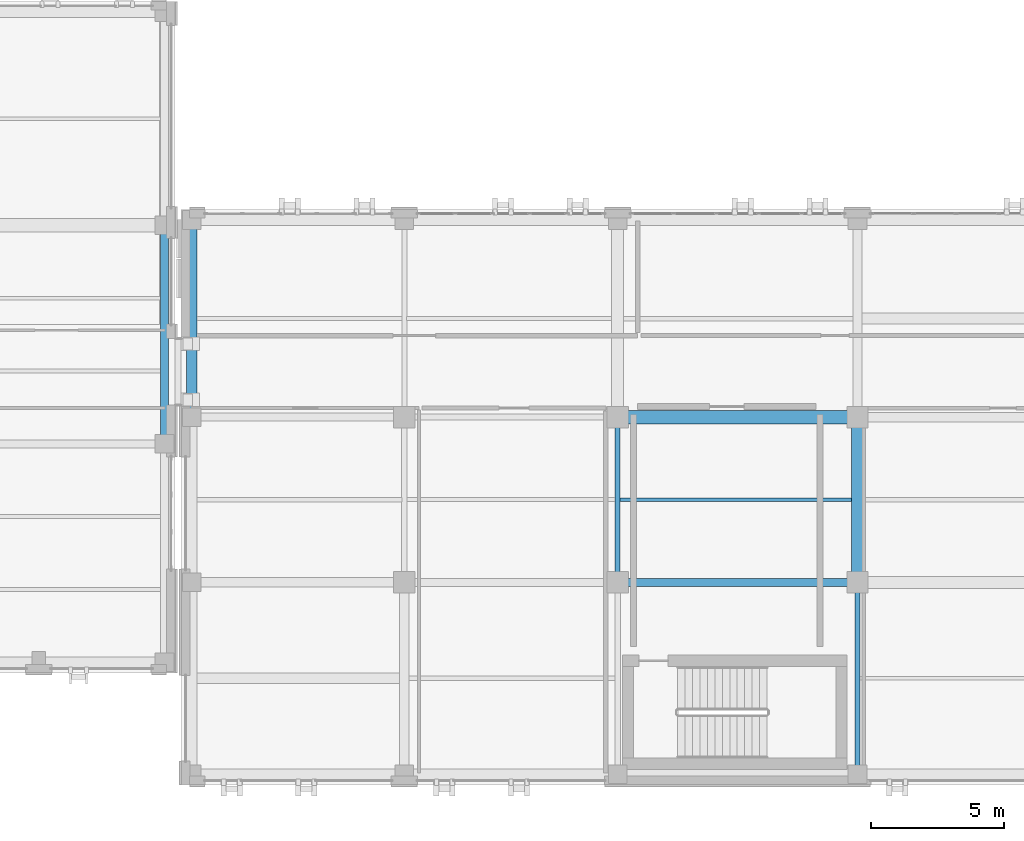
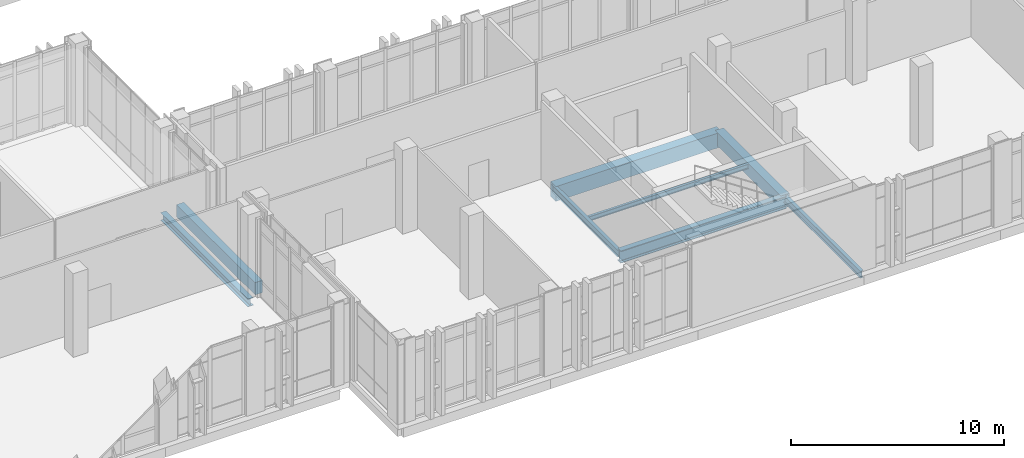
# One storey, part 49 of 189: 8 beams.
"""IFC4 building model written with IfcOpenShell, lengths in metres."""

from ifc_helpers import new_model, si_unit, direction, frame, origin, origin_2d, place, context, subcontext, project, spatial, rectangle, i_section, extrude, material, material_profile, profile_set, type_object, element, save


model = new_model("IFC4")

# Units and contexts
model_context = context("Model", 3, precision=1e-05, world=origin(), true_north=direction((0.0, 1.0)))
body_context = subcontext(model_context, "Body", "Model", "MODEL_VIEW")
ifc_project = project(units=[si_unit("LENGTHUNIT", "METRE"), si_unit("AREAUNIT", "SQUARE_METRE"), si_unit("VOLUMEUNIT", "CUBIC_METRE"), si_unit("PLANEANGLEUNIT", "RADIAN"), si_unit("MASSUNIT", "GRAM", prefix="KILO")], contexts=[model_context])

# Site, building, storey
site_placement = place(None, origin())
site = spatial("IfcSite", under=ifc_project, at=site_placement, CompositionType="ELEMENT")
building_placement = place(site_placement, origin())
building = spatial("IfcBuilding", under=site, at=building_placement, Name="Qalavern Law Courts", CompositionType="ELEMENT")
storey_placement = place(building_placement, frame((0.0, 0.0, 5.39990234375)))
storey = spatial("IfcBuildingStorey", under=building, at=storey_placement, Name="L01", CompositionType="ELEMENT", Elevation=5.39990234375)

# Beams
ifc_material_1 = material(Name="Steel S355", Category="steel")
ifc_material_profile_1 = material_profile(ifc_material_1, i_section(OverallWidth=0.300048828125, OverallDepth=0.699951171875, WebThickness=0.01708984375, FlangeThickness=0.031982421875, FilletRadius=0.027099609375, at=origin_2d()), Name="HEB 700")
ifc_profile_set_1 = profile_set([ifc_material_profile_1], Name="Steel S355")
beam_type_1 = type_object("IfcBeamType", Name="STR-BM-HEB700", PredefinedType="BEAM", material=ifc_profile_set_1)
beam_1_placement = place(storey_placement, frame((117.800048828125, 8.60009765625, -0.64990234375), z_axis=(1.0, 0.0, 0.0), x_axis=(0.0, 1.0, 0.0)))
element("IfcBeam", 1, at=beam_1_placement, inside=storey, type_object=beam_type_1, Name="V6 X-beam 2-3 L01", PredefinedType="BEAM", context=body_context, shape_type="SweptSolid", body=[
    extrude(i_section(OverallWidth=0.300048828125, OverallDepth=0.699951171875, WebThickness=0.01708984375, FlangeThickness=0.031982421875, FilletRadius=0.027099609375, at=origin_2d()), origin(), (0.0, 0.0, 1.0), 9.0),
])
ifc_material_profile_2 = material_profile(ifc_material_1, i_section(OverallWidth=0.179931640625, OverallDepth=0.39990234375, WebThickness=0.008544921875, FlangeThickness=0.013427734375, FilletRadius=0.02099609375, at=origin_2d()), Name="IPE 400")
ifc_profile_set_2 = profile_set([ifc_material_profile_2], Name="Steel S355")
beam_type_2 = type_object("IfcBeamType", Name="STR-BM-IPE400", PredefinedType="BEAM", material=ifc_profile_set_2)
beam_2_placement = place(storey_placement, frame((117.800048828125, 8.60009765625, -0.5), z_axis=(0.0, 1.0, 0.0), x_axis=(-1.0, 0.0, 0.0)))
element("IfcBeam", 2, at=beam_2_placement, inside=storey, type_object=beam_type_2, Name="V6 Y-beam 3-2 L01", PredefinedType="BEAM", context=body_context, shape_type="SweptSolid", body=[
    extrude(i_section(OverallWidth=0.179931640625, OverallDepth=0.39990234375, WebThickness=0.008544921875, FlangeThickness=0.013427734375, FilletRadius=0.02099609375, at=origin_2d()), origin(), (0.0, 0.0, 1.0), 6.199951171875),
])
beam_3_placement = place(storey_placement, frame((126.800048828125, 1.39990234375, -0.5), z_axis=(0.0, 1.0, 0.0), x_axis=(-1.0, 0.0, 0.0)))
element("IfcBeam", 3, at=beam_3_placement, inside=storey, type_object=beam_type_2, Name="V6 Y-beam 4-1 L01", PredefinedType="BEAM", context=body_context, shape_type="SweptSolid", body=[
    extrude(i_section(OverallWidth=0.179931640625, OverallDepth=0.39990234375, WebThickness=0.008544921875, FlangeThickness=0.013427734375, FilletRadius=0.02099609375, at=origin_2d()), origin(), (0.0, 0.0, 1.0), 7.2001953125),
])
ifc_material_2 = material(Name="Concrete C40/50", Category="concrete")
ifc_material_profile_3 = material_profile(ifc_material_2, rectangle(XDim=0.449951171875, YDim=0.75, at=origin_2d()), Name="RC 450x750")
ifc_profile_set_3 = profile_set([ifc_material_profile_3], Name="Concrete C40/50")
beam_type_3 = type_object("IfcBeamType", Name="STR-BM-RC450x750", PredefinedType="BEAM", material=ifc_profile_set_3)
beam_4_placement = place(storey_placement, frame((126.800048828125, 8.60009765625, -0.6748046875), z_axis=(0.0, 1.0, 0.0), x_axis=(-1.0, 0.0, 0.0)))
element("IfcBeam", 4, at=beam_4_placement, inside=storey, type_object=beam_type_3, Name="V6 Y-beam 4-2 L01", PredefinedType="BEAM", context=body_context, shape_type="SweptSolid", body=[
    extrude(rectangle(XDim=0.449951171875, YDim=0.75, at=origin_2d()), origin(), (0.0, 0.0, 1.0), 6.199951171875),
])
ifc_material_profile_4 = material_profile(ifc_material_2, rectangle(XDim=0.5, YDim=0.85009765625, at=origin_2d()), Name="RC 500x850")
ifc_profile_set_4 = profile_set([ifc_material_profile_4], Name="Concrete C40/50")
beam_type_4 = type_object("IfcBeamType", Name="STR-BM-RC500x850", PredefinedType="BEAM", material=ifc_profile_set_4)
beam_5_placement = place(storey_placement, frame((117.800048828125, 14.800048828125, -0.724853515625), z_axis=(1.0, 0.0, 0.0), x_axis=(0.0, 1.0, 0.0)))
element("IfcBeam", 5, at=beam_5_placement, inside=storey, type_object=beam_type_4, Name="V6 X-beam 3-3 L01", PredefinedType="BEAM", context=body_context, shape_type="SweptSolid", body=[
    extrude(rectangle(XDim=0.5, YDim=0.85009765625, at=origin_2d()), origin(), (0.0, 0.0, 1.0), 9.0),
])
ifc_material_profile_5 = material_profile(ifc_material_1, i_section(OverallWidth=0.135009765625, OverallDepth=0.27001953125, WebThickness=0.006591796875, FlangeThickness=0.01025390625, FilletRadius=0.014892578125, at=origin_2d()), Name="IPE 270")
ifc_profile_set_5 = profile_set([ifc_material_profile_5], Name="Steel S355")
beam_type_5 = type_object("IfcBeamType", Name="STR-JST-IPE270", PredefinedType="JOIST", material=ifc_profile_set_5)
beam_6_placement = place(storey_placement, frame((117.887939453125, 11.699951171875, -0.434814453125), z_axis=(1.0, 0.0, 0.0), x_axis=(0.0, 1.0, 0.0)))
element("IfcBeam", 6, at=beam_6_placement, inside=storey, type_object=beam_type_5, Name="V6 secondary joist 3.2.1 L01", PredefinedType="JOIST", context=body_context, shape_type="SweptSolid", body=[
    extrude(i_section(OverallWidth=0.135009765625, OverallDepth=0.27001953125, WebThickness=0.006591796875, FlangeThickness=0.01025390625, FilletRadius=0.014892578125, at=origin_2d()), origin(), (0.0, 0.0, 1.0), 8.68896484375),
])
ifc_material_profile_6 = material_profile(ifc_material_1, i_section(OverallWidth=0.300048828125, OverallDepth=0.449951171875, WebThickness=0.013916015625, FlangeThickness=0.02587890625, FilletRadius=0.027099609375, at=origin_2d()), Name="HEB 450")
ifc_profile_set_6 = profile_set([ifc_material_profile_6], Name="Steel S355")
beam_type_6 = type_object("IfcBeamType", Name="STR-SP-HEB450", PredefinedType="SPANDREL", material=ifc_profile_set_6)
beam_7_placement = place(storey_placement, frame((100.800048828125, 13.800048828125, -0.52490234375), z_axis=(0.0, 1.0, 0.0), x_axis=(-1.0, 0.0, 0.0)))
element("IfcBeam", 7, at=beam_7_placement, inside=storey, type_object=beam_type_6, Name="V2 Y-beam 8-2 L01", PredefinedType="SPANDREL", context=body_context, shape_type="SweptSolid", body=[
    extrude(i_section(OverallWidth=0.300048828125, OverallDepth=0.449951171875, WebThickness=0.013916015625, FlangeThickness=0.02587890625, FilletRadius=0.027099609375, at=origin_2d()), origin(), (0.0, 0.0, 1.0), 8.199951171875),
])
ifc_material_profile_7 = material_profile(ifc_material_2, rectangle(XDim=0.39990234375, YDim=0.699951171875, at=origin_2d()), Name="RC 400x700")
ifc_profile_set_7 = profile_set([ifc_material_profile_7], Name="Concrete C40/50")
beam_type_7 = type_object("IfcBeamType", Name="STR-SP-RC400x700", PredefinedType="SPANDREL", material=ifc_profile_set_7)
beam_8_placement = place(storey_placement, frame((101.820068359375, 14.800048828125, -0.64990234375), z_axis=(0.0, 1.0, 0.0), x_axis=(-1.0, 0.0, 0.0)))
element("IfcBeam", 8, at=beam_8_placement, inside=storey, type_object=beam_type_7, Name="V6 Y-beam 1-3 L01", PredefinedType="SPANDREL", context=body_context, shape_type="SweptSolid", body=[
    extrude(rectangle(XDim=0.39990234375, YDim=0.699951171875, at=origin_2d()), origin(), (0.0, 0.0, 1.0), 7.39990234375),
])

save(model, "model.ifc")
